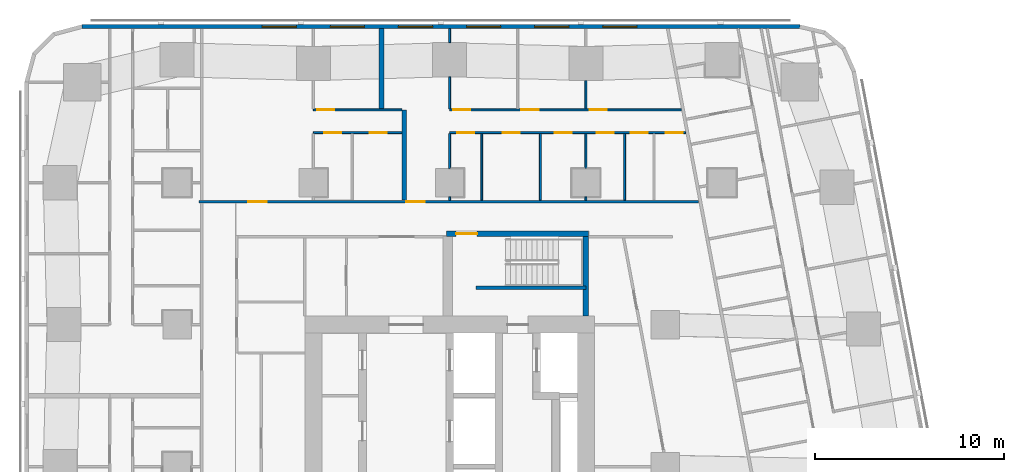
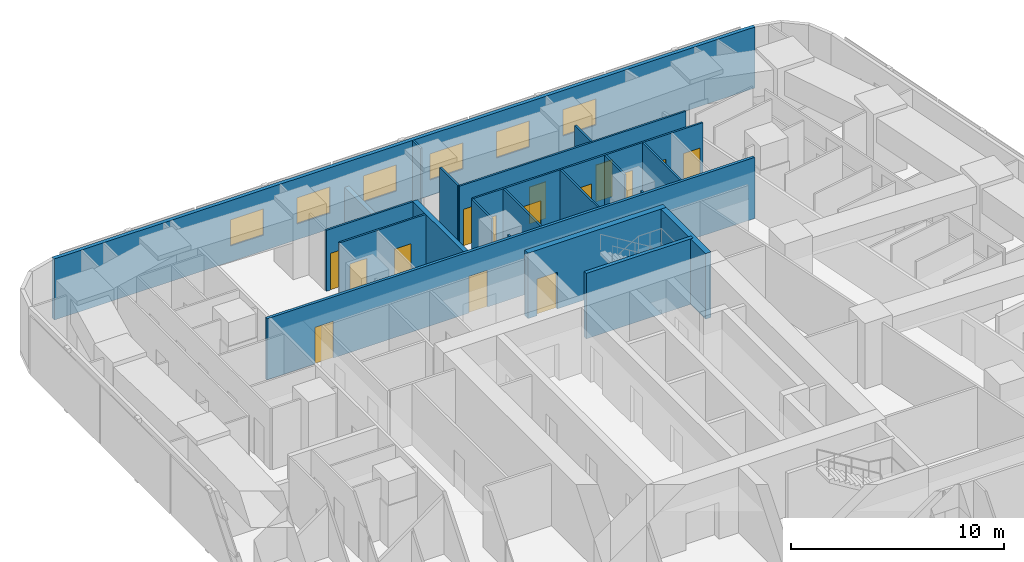
# One storey, part 10 of 15: 21 walls, 15 doors, 6 windows, 21 openings.
"""IFC4 building model written with IfcOpenShell, lengths in metres."""

from ifc_helpers import new_model, si_unit, direction, frame, frame_2d, origin, place, context, subcontext, project, spatial, rectangle, extrude, material, layer, layer_set, type_object, element, fill, save


model = new_model("IFC4")

# Units and contexts
model_context = context("Model", 3, precision=1e-05, world=origin(), true_north=direction((0.0, 1.0)))
body_context = subcontext(model_context, "Body", "Model", "MODEL_VIEW")
ifc_project = project(units=[si_unit("LENGTHUNIT", "METRE"), si_unit("AREAUNIT", "SQUARE_METRE"), si_unit("VOLUMEUNIT", "CUBIC_METRE"), si_unit("PLANEANGLEUNIT", "RADIAN"), si_unit("MASSUNIT", "GRAM", prefix="KILO")], contexts=[model_context])

# Site, building, storey
site_placement = place(None, origin())
site = spatial("IfcSite", under=ifc_project, at=site_placement, CompositionType="ELEMENT")
building_placement = place(site_placement, origin())
building = spatial("IfcBuilding", under=site, at=building_placement, Name="Sheger Commons Tower", CompositionType="ELEMENT")
storey_placement = place(building_placement, frame((0.0, 0.0, 165.800048828125)))
storey = spatial("IfcBuildingStorey", under=building, at=storey_placement, Name="L42", CompositionType="ELEMENT", Elevation=165.800048828125)

# Wall, openings, doors
ifc_material_1 = material(Name="Hollow concrete block masonry, skimmed both sides", Category="masonry")
ifc_layer_1 = layer(ifc_material_1, 0.14990234375)
ifc_layer_set_1 = layer_set([ifc_layer_1], Name="CORRIDOR WALL 150")
wall_type_1 = type_object("IfcWallType", Name="CORRIDOR WALL 150", PredefinedType="SOLIDWALL", material=ifc_layer_set_1)
wall_1_placement = place(storey_placement, frame((8.35009765625, 36.5, 0.0), z_axis=(0.0, 0.0, 1.0), x_axis=(1.0, 0.0, 0.0)))
wall_1 = element("IfcWall", 1, at=wall_1_placement, inside=storey, type_object=wall_type_1, Name="Corridor wall L42", PredefinedType="SOLIDWALL", context=body_context, shape_type="SweptSolid", body=[
    extrude(rectangle(XDim=26.414794921875, YDim=0.14990234375, at=frame_2d((13.20751953125, 0.0))), origin(), (0.0, 0.0, 1.0), 3.5),
])
opening_1_placement = place(wall_1_placement, frame((2.60009765625, 0.0, 0.0)))
opening_1 = element("IfcOpeningElement", 2, at=opening_1_placement, cuts=wall_1, Name="Opening D1", PredefinedType="OPENING", context=body_context, shape_type="SweptSolid", body=[
    extrude(rectangle(XDim=1.0, YDim=2.10009765625, at=frame_2d((0.5, 1.050048828125))), frame((0.0, 0.0849609375, 0.0), z_axis=(0.0, -1.0, 0.0), x_axis=(1.0, 0.0, 0.0)), (0.0, 0.0, 1.0), 0.169921875),
])
opening_2_placement = place(wall_1_placement, frame((10.948974609375, 0.0, 0.0)))
opening_2 = element("IfcOpeningElement", 3, at=opening_2_placement, cuts=wall_1, Name="Opening D1", PredefinedType="OPENING", context=body_context, shape_type="SweptSolid", body=[
    extrude(rectangle(XDim=1.0, YDim=2.10009765625, at=frame_2d((0.5, 1.050048828125))), frame((0.0, 0.0849609375, 0.0), z_axis=(0.0, -1.0, 0.0), x_axis=(1.0, 0.0, 0.0)), (0.0, 0.0, 1.0), 0.169921875),
])
ifc_material_2 = material(Name="Steel door set, fire rated", Category="steel")
door_type_1 = type_object("IfcDoorType", Name="FLAT ENTRANCE DOOR 1000x2100", OperationType="NOTDEFINED", PredefinedType="DOOR", material=ifc_material_2)
door_1_placement = place(opening_1_placement, origin())
door_1 = element("IfcDoor", 4, at=door_1_placement, inside=storey, type_object=door_type_1, Name="Flat entrance door", OperationType="SINGLE_SWING_LEFT", OverallHeight=2.10009765625, OverallWidth=1.0, PredefinedType="DOOR", context=body_context, shape_type="SweptSolid", body=[
    extrude(rectangle(XDim=1.0, YDim=2.10009765625, at=frame_2d((0.5, 1.050048828125))), frame((0.0, 0.02490234375, 0.0), z_axis=(0.0, -1.0, 0.0), x_axis=(1.0, 0.0, 0.0)), (0.0, 0.0, 1.0), 0.050048828125),
])
fill(opening_1, door_1)
door_2_placement = place(opening_2_placement, origin())
door_2 = element("IfcDoor", 5, at=door_2_placement, inside=storey, type_object=door_type_1, Name="Flat entrance door", OperationType="SINGLE_SWING_LEFT", OverallHeight=2.10009765625, OverallWidth=1.0, PredefinedType="DOOR", context=body_context, shape_type="SweptSolid", body=[
    extrude(rectangle(XDim=1.0, YDim=2.10009765625, at=frame_2d((0.5, 1.050048828125))), frame((0.0, 0.02490234375, 0.0), z_axis=(0.0, -1.0, 0.0), x_axis=(1.0, 0.0, 0.0)), (0.0, 0.0, 1.0), 0.050048828125),
])
fill(opening_2, door_2)

# Walls
ifc_material_3 = material(Name="Dense concrete block masonry, plastered both sides (separating wall between flats)", Category="masonry")
ifc_layer_2 = layer(ifc_material_3, 0.25)
ifc_layer_set_2 = layer_set([ifc_layer_2], Name="DEMISING WALL 250")
wall_type_2 = type_object("IfcWallType", Name="DEMISING WALL 250", PredefinedType="SOLIDWALL", material=ifc_layer_set_2)
wall_2_placement = place(storey_placement, frame((18.0, 41.39990234375, 0.0), z_axis=(0.0, 0.0, 1.0), x_axis=(0.0, 1.0, 0.0)))
element("IfcWall", 6, at=wall_2_placement, inside=storey, type_object=wall_type_2, Name="Demising wall L42", PredefinedType="SOLIDWALL", context=body_context, shape_type="SweptSolid", body=[
    extrude(rectangle(XDim=4.25, YDim=0.25, at=frame_2d((2.125, 0.0))), origin(), (0.0, 0.0, 1.0), 2.099853515625),
])
wall_3_placement = place(storey_placement, frame((19.198974609375, 36.574951171875, 0.0), z_axis=(0.0, 0.0, 1.0), x_axis=(0.0, 1.0, 0.0)))
element("IfcWall", 7, at=wall_3_placement, inside=storey, type_object=wall_type_2, Name="Demising wall L42", PredefinedType="SOLIDWALL", context=body_context, shape_type="SweptSolid", body=[
    extrude(rectangle(XDim=4.775146484375, YDim=0.25, at=frame_2d((2.3876953125, 0.0))), origin(), (0.0, 0.0, 1.0), 3.5),
])

# Wall, openings, windows
ifc_material_4 = material(Name="Rendered concrete block masonry, dark grey", Category="masonry")
ifc_layer_3 = layer(ifc_material_4, 0.199951171875)
ifc_layer_set_3 = layer_set([ifc_layer_3], Name="FACADE WALL 200")
wall_type_3 = type_object("IfcWallType", Name="FACADE WALL 200", PredefinedType="SOLIDWALL", material=ifc_layer_set_3)
wall_4_placement = place(storey_placement, frame((40.10595703125, 45.75, 0.0), z_axis=(0.0, 0.0, 1.0), x_axis=(-1.0, 0.0, 0.0)))
wall_4 = element("IfcWall", 8, at=wall_4_placement, inside=storey, type_object=wall_type_3, Name="Facade wall L42", PredefinedType="SOLIDWALL", context=body_context, shape_type="SweptSolid", body=[
    extrude(rectangle(XDim=37.94287109375, YDim=0.199951171875, at=frame_2d((18.971435546875, 0.0))), origin(), (0.0, 0.0, 1.0), 3.5),
])
opening_3_placement = place(wall_4_placement, frame((8.60595703125, 0.0, 0.89990234375)))
opening_3 = element("IfcOpeningElement", 9, at=opening_3_placement, cuts=wall_4, Name="Opening W2", PredefinedType="OPENING", context=body_context, shape_type="SweptSolid", body=[
    extrude(rectangle(XDim=1.800048828125, YDim=1.5, at=frame_2d((0.89990234375, 0.75))), frame((0.0, 0.10986328125, 0.0), z_axis=(0.0, -1.0, 0.0), x_axis=(1.0, 0.0, 0.0)), (0.0, 0.0, 1.0), 0.219970703125),
])
opening_4_placement = place(wall_4_placement, frame((12.2060546875, 0.0, 0.89990234375)))
opening_4 = element("IfcOpeningElement", 10, at=opening_4_placement, cuts=wall_4, Name="Opening W2", PredefinedType="OPENING", context=body_context, shape_type="SweptSolid", body=[
    extrude(rectangle(XDim=1.800048828125, YDim=1.5, at=frame_2d((0.89990234375, 0.75))), frame((0.0, 0.10986328125, 0.0), z_axis=(0.0, -1.0, 0.0), x_axis=(1.0, 0.0, 0.0)), (0.0, 0.0, 1.0), 0.219970703125),
])
opening_5_placement = place(wall_4_placement, frame((15.805908203125, 0.0, 0.89990234375)))
opening_5 = element("IfcOpeningElement", 11, at=opening_5_placement, cuts=wall_4, Name="Opening W2", PredefinedType="OPENING", context=body_context, shape_type="SweptSolid", body=[
    extrude(rectangle(XDim=1.800048828125, YDim=1.5, at=frame_2d((0.89990234375, 0.75))), frame((0.0, 0.10986328125, 0.0), z_axis=(0.0, -1.0, 0.0), x_axis=(1.0, 0.0, 0.0)), (0.0, 0.0, 1.0), 0.219970703125),
])
opening_6_placement = place(wall_4_placement, frame((19.406005859375, 0.0, 0.89990234375)))
opening_6 = element("IfcOpeningElement", 12, at=opening_6_placement, cuts=wall_4, Name="Opening W2", PredefinedType="OPENING", context=body_context, shape_type="SweptSolid", body=[
    extrude(rectangle(XDim=1.800048828125, YDim=1.5, at=frame_2d((0.89990234375, 0.75))), frame((0.0, 0.10986328125, 0.0), z_axis=(0.0, -1.0, 0.0), x_axis=(1.0, 0.0, 0.0)), (0.0, 0.0, 1.0), 0.219970703125),
])
opening_7_placement = place(wall_4_placement, frame((23.006103515625, 0.0, 0.89990234375)))
opening_7 = element("IfcOpeningElement", 13, at=opening_7_placement, cuts=wall_4, Name="Opening W2", PredefinedType="OPENING", context=body_context, shape_type="SweptSolid", body=[
    extrude(rectangle(XDim=1.800048828125, YDim=1.5, at=frame_2d((0.89990234375, 0.75))), frame((0.0, 0.10986328125, 0.0), z_axis=(0.0, -1.0, 0.0), x_axis=(1.0, 0.0, 0.0)), (0.0, 0.0, 1.0), 0.219970703125),
])
opening_8_placement = place(wall_4_placement, frame((26.60595703125, 0.0, 0.89990234375)))
opening_8 = element("IfcOpeningElement", 14, at=opening_8_placement, cuts=wall_4, Name="Opening W2", PredefinedType="OPENING", context=body_context, shape_type="SweptSolid", body=[
    extrude(rectangle(XDim=1.800048828125, YDim=1.5, at=frame_2d((0.89990234375, 0.75))), frame((0.0, 0.10986328125, 0.0), z_axis=(0.0, -1.0, 0.0), x_axis=(1.0, 0.0, 0.0)), (0.0, 0.0, 1.0), 0.219970703125),
])
ifc_material_5 = material(Name="Black aluminium frame, dark tinted double glazing", Category="aluminium")
window_type = type_object("IfcWindowType", Name="WINDOW W2 1800x1500", PartitioningType="SINGLE_PANEL", PredefinedType="WINDOW", material=ifc_material_5)
window_1_placement = place(opening_3_placement, origin())
window_1 = element("IfcWindow", 15, at=window_1_placement, inside=storey, type_object=window_type, Name="Window W2 1800X1500", OverallHeight=1.5, OverallWidth=1.800048828125, PartitioningType="SINGLE_PANEL", PredefinedType="WINDOW", context=body_context, shape_type="SweptSolid", body=[
    extrude(rectangle(XDim=1.800048828125, YDim=1.5, at=frame_2d((0.89990234375, 0.75))), frame((0.0, 0.030029296875, 0.0), z_axis=(0.0, -1.0, 0.0), x_axis=(1.0, 0.0, 0.0)), (0.0, 0.0, 1.0), 0.06005859375),
])
fill(opening_3, window_1)
window_2_placement = place(opening_4_placement, origin())
window_2 = element("IfcWindow", 16, at=window_2_placement, inside=storey, type_object=window_type, Name="Window W2 1800X1500", OverallHeight=1.5, OverallWidth=1.800048828125, PartitioningType="SINGLE_PANEL", PredefinedType="WINDOW", context=body_context, shape_type="SweptSolid", body=[
    extrude(rectangle(XDim=1.800048828125, YDim=1.5, at=frame_2d((0.89990234375, 0.75))), frame((0.0, 0.030029296875, 0.0), z_axis=(0.0, -1.0, 0.0), x_axis=(1.0, 0.0, 0.0)), (0.0, 0.0, 1.0), 0.06005859375),
])
fill(opening_4, window_2)
window_3_placement = place(opening_5_placement, origin())
window_3 = element("IfcWindow", 17, at=window_3_placement, inside=storey, type_object=window_type, Name="Window W2 1800X1500", OverallHeight=1.5, OverallWidth=1.800048828125, PartitioningType="SINGLE_PANEL", PredefinedType="WINDOW", context=body_context, shape_type="SweptSolid", body=[
    extrude(rectangle(XDim=1.800048828125, YDim=1.5, at=frame_2d((0.89990234375, 0.75))), frame((0.0, 0.030029296875, 0.0), z_axis=(0.0, -1.0, 0.0), x_axis=(1.0, 0.0, 0.0)), (0.0, 0.0, 1.0), 0.06005859375),
])
fill(opening_5, window_3)
window_4_placement = place(opening_6_placement, origin())
window_4 = element("IfcWindow", 18, at=window_4_placement, inside=storey, type_object=window_type, Name="Window W2 1800X1500", OverallHeight=1.5, OverallWidth=1.800048828125, PartitioningType="SINGLE_PANEL", PredefinedType="WINDOW", context=body_context, shape_type="SweptSolid", body=[
    extrude(rectangle(XDim=1.800048828125, YDim=1.5, at=frame_2d((0.89990234375, 0.75))), frame((0.0, 0.030029296875, 0.0), z_axis=(0.0, -1.0, 0.0), x_axis=(1.0, 0.0, 0.0)), (0.0, 0.0, 1.0), 0.06005859375),
])
fill(opening_6, window_4)
window_5_placement = place(opening_7_placement, origin())
window_5 = element("IfcWindow", 19, at=window_5_placement, inside=storey, type_object=window_type, Name="Window W2 1800X1500", OverallHeight=1.5, OverallWidth=1.800048828125, PartitioningType="SINGLE_PANEL", PredefinedType="WINDOW", context=body_context, shape_type="SweptSolid", body=[
    extrude(rectangle(XDim=1.800048828125, YDim=1.5, at=frame_2d((0.89990234375, 0.75))), frame((0.0, 0.030029296875, 0.0), z_axis=(0.0, -1.0, 0.0), x_axis=(1.0, 0.0, 0.0)), (0.0, 0.0, 1.0), 0.06005859375),
])
fill(opening_7, window_5)
window_6_placement = place(opening_8_placement, origin())
window_6 = element("IfcWindow", 20, at=window_6_placement, inside=storey, type_object=window_type, Name="Window W2 1800X1500", OverallHeight=1.5, OverallWidth=1.800048828125, PartitioningType="SINGLE_PANEL", PredefinedType="WINDOW", context=body_context, shape_type="SweptSolid", body=[
    extrude(rectangle(XDim=1.800048828125, YDim=1.5, at=frame_2d((0.89990234375, 0.75))), frame((0.0, 0.030029296875, 0.0), z_axis=(0.0, -1.0, 0.0), x_axis=(1.0, 0.0, 0.0)), (0.0, 0.0, 1.0), 0.06005859375),
])
fill(opening_8, window_6)

# Wall, opening, door
ifc_material_6 = material(Name="Gypsum board on steel studs", Category="steel")
ifc_layer_4 = layer(ifc_material_6, 0.10009765625)
ifc_layer_set_4 = layer_set([ifc_layer_4], Name="PARTITION 100")
wall_type_4 = type_object("IfcWallType", Name="PARTITION 100", PredefinedType="PARTITIONING", material=ifc_layer_set_4)
wall_5_placement = place(storey_placement, frame((14.39990234375, 41.35009765625, 0.0), z_axis=(0.0, 0.0, 1.0), x_axis=(1.0, 0.0, 0.0)))
wall_5 = element("IfcWall", 21, at=wall_5_placement, inside=storey, type_object=wall_type_4, Name="Partition L42", PredefinedType="PARTITIONING", context=body_context, shape_type="SweptSolid", body=[
    extrude(rectangle(XDim=4.674072265625, YDim=0.10009765625, at=frame_2d((2.3369140625, 0.0))), origin(), (0.0, 0.0, 1.0), 3.5),
])
opening_9_placement = place(wall_5_placement, frame((0.199951171875, 0.0, 0.0)))
opening_9 = element("IfcOpeningElement", 22, at=opening_9_placement, cuts=wall_5, Name="Opening D2", PredefinedType="OPENING", context=body_context, shape_type="SweptSolid", body=[
    extrude(rectangle(XDim=0.89990234375, YDim=2.10009765625, at=frame_2d((0.449951171875, 1.050048828125))), frame((0.0, 0.06005859375, 0.0), z_axis=(0.0, -1.0, 0.0), x_axis=(1.0, 0.0, 0.0)), (0.0, 0.0, 1.0), 0.1201171875),
])
ifc_material_7 = material(Name="Timber door set", Category="wood")
door_type_2 = type_object("IfcDoorType", Name="INTERNAL DOOR 900x2100", OperationType="NOTDEFINED", PredefinedType="DOOR", material=ifc_material_7)
door_3_placement = place(opening_9_placement, origin())
door_3 = element("IfcDoor", 23, at=door_3_placement, inside=storey, type_object=door_type_2, Name="Main bedroom door", OperationType="SINGLE_SWING_LEFT", OverallHeight=2.10009765625, OverallWidth=0.89990234375, PredefinedType="DOOR", context=body_context, shape_type="SweptSolid", body=[
    extrude(rectangle(XDim=0.89990234375, YDim=2.10009765625, at=frame_2d((0.449951171875, 1.050048828125))), frame((0.0, 0.02490234375, 0.0), z_axis=(0.0, -1.0, 0.0), x_axis=(1.0, 0.0, 0.0)), (0.0, 0.0, 1.0), 0.050048828125),
])
fill(opening_9, door_3)

# Wall, openings, doors
wall_6_placement = place(storey_placement, frame((14.39990234375, 40.14990234375, 0.0), z_axis=(0.0, 0.0, 1.0), x_axis=(1.0, 0.0, 0.0)))
wall_6 = element("IfcWall", 24, at=wall_6_placement, inside=storey, type_object=wall_type_4, Name="Partition L42", PredefinedType="PARTITIONING", context=body_context, shape_type="SweptSolid", body=[
    extrude(rectangle(XDim=4.674072265625, YDim=0.10009765625, at=frame_2d((2.3369140625, 0.0))), origin(), (0.0, 0.0, 1.0), 3.5),
])
opening_10_placement = place(wall_6_placement, frame((0.574951171875, 0.0, 0.0)))
opening_10 = element("IfcOpeningElement", 25, at=opening_10_placement, cuts=wall_6, Name="Opening D2", PredefinedType="OPENING", context=body_context, shape_type="SweptSolid", body=[
    extrude(rectangle(XDim=0.89990234375, YDim=2.10009765625, at=frame_2d((0.449951171875, 1.050048828125))), frame((0.0, 0.06005859375, 0.0), z_axis=(0.0, -1.0, 0.0), x_axis=(1.0, 0.0, 0.0)), (0.0, 0.0, 1.0), 0.1201171875),
])
opening_11_placement = place(wall_6_placement, frame((2.97509765625, 0.0, 0.0)))
opening_11 = element("IfcOpeningElement", 26, at=opening_11_placement, cuts=wall_6, Name="Opening D2", PredefinedType="OPENING", context=body_context, shape_type="SweptSolid", body=[
    extrude(rectangle(XDim=0.89990234375, YDim=2.10009765625, at=frame_2d((0.449951171875, 1.050048828125))), frame((0.0, 0.06005859375, 0.0), z_axis=(0.0, -1.0, 0.0), x_axis=(1.0, 0.0, 0.0)), (0.0, 0.0, 1.0), 0.1201171875),
])
door_4_placement = place(opening_10_placement, origin())
door_4 = element("IfcDoor", 27, at=door_4_placement, inside=storey, type_object=door_type_2, Name="Bathroom door", OperationType="SINGLE_SWING_RIGHT", OverallHeight=2.10009765625, OverallWidth=0.89990234375, PredefinedType="DOOR", context=body_context, shape_type="SweptSolid", body=[
    extrude(rectangle(XDim=0.89990234375, YDim=2.10009765625, at=frame_2d((0.449951171875, 1.050048828125))), frame((0.0, 0.02490234375, 0.0), z_axis=(0.0, -1.0, 0.0), x_axis=(1.0, 0.0, 0.0)), (0.0, 0.0, 1.0), 0.050048828125),
])
fill(opening_10, door_4)
door_5_placement = place(opening_11_placement, origin())
door_5 = element("IfcDoor", 28, at=door_5_placement, inside=storey, type_object=door_type_2, Name="Store door", OperationType="SINGLE_SWING_LEFT", OverallHeight=2.10009765625, OverallWidth=0.89990234375, PredefinedType="DOOR", context=body_context, shape_type="SweptSolid", body=[
    extrude(rectangle(XDim=0.89990234375, YDim=2.10009765625, at=frame_2d((0.449951171875, 1.050048828125))), frame((0.0, 0.02490234375, 0.0), z_axis=(0.0, -1.0, 0.0), x_axis=(1.0, 0.0, 0.0)), (0.0, 0.0, 1.0), 0.050048828125),
])
fill(opening_11, door_5)

wall_7_placement = place(storey_placement, frame((21.60009765625, 41.35009765625, 0.0), z_axis=(0.0, 0.0, 1.0), x_axis=(1.0, 0.0, 0.0)))
wall_7 = element("IfcWall", 29, at=wall_7_placement, inside=storey, type_object=wall_type_4, Name="Partition L42", PredefinedType="PARTITIONING", context=body_context, shape_type="SweptSolid", body=[
    extrude(rectangle(XDim=12.2529296875, YDim=0.10009765625, at=frame_2d((6.12646484375, 0.0))), origin(), (0.0, 0.0, 1.0), 3.5),
])
opening_12_placement = place(wall_7_placement, frame((0.199951171875, 0.0, 0.0)))
opening_12 = element("IfcOpeningElement", 30, at=opening_12_placement, cuts=wall_7, Name="Opening D2", PredefinedType="OPENING", context=body_context, shape_type="SweptSolid", body=[
    extrude(rectangle(XDim=0.89990234375, YDim=2.10009765625, at=frame_2d((0.449951171875, 1.050048828125))), frame((0.0, 0.06005859375, 0.0), z_axis=(0.0, -1.0, 0.0), x_axis=(1.0, 0.0, 0.0)), (0.0, 0.0, 1.0), 0.1201171875),
])
opening_13_placement = place(wall_7_placement, frame((3.800048828125, 0.0, 0.0)))
opening_13 = element("IfcOpeningElement", 31, at=opening_13_placement, cuts=wall_7, Name="Opening D2", PredefinedType="OPENING", context=body_context, shape_type="SweptSolid", body=[
    extrude(rectangle(XDim=0.89990234375, YDim=2.10009765625, at=frame_2d((0.449951171875, 1.050048828125))), frame((0.0, 0.06005859375, 0.0), z_axis=(0.0, -1.0, 0.0), x_axis=(1.0, 0.0, 0.0)), (0.0, 0.0, 1.0), 0.1201171875),
])
opening_14_placement = place(wall_7_placement, frame((7.39990234375, 0.0, 0.0)))
opening_14 = element("IfcOpeningElement", 32, at=opening_14_placement, cuts=wall_7, Name="Opening D2", PredefinedType="OPENING", context=body_context, shape_type="SweptSolid", body=[
    extrude(rectangle(XDim=0.89990234375, YDim=2.10009765625, at=frame_2d((0.449951171875, 1.050048828125))), frame((0.0, 0.06005859375, 0.0), z_axis=(0.0, -1.0, 0.0), x_axis=(1.0, 0.0, 0.0)), (0.0, 0.0, 1.0), 0.1201171875),
])
door_6_placement = place(opening_12_placement, origin())
door_6 = element("IfcDoor", 33, at=door_6_placement, inside=storey, type_object=door_type_2, Name="Main bedroom door", OperationType="SINGLE_SWING_LEFT", OverallHeight=2.10009765625, OverallWidth=0.89990234375, PredefinedType="DOOR", context=body_context, shape_type="SweptSolid", body=[
    extrude(rectangle(XDim=0.89990234375, YDim=2.10009765625, at=frame_2d((0.449951171875, 1.050048828125))), frame((0.0, 0.02490234375, 0.0), z_axis=(0.0, -1.0, 0.0), x_axis=(1.0, 0.0, 0.0)), (0.0, 0.0, 1.0), 0.050048828125),
])
fill(opening_12, door_6)
door_7_placement = place(opening_13_placement, origin())
door_7 = element("IfcDoor", 34, at=door_7_placement, inside=storey, type_object=door_type_2, Name="Bedroom 2 door", OperationType="SINGLE_SWING_LEFT", OverallHeight=2.10009765625, OverallWidth=0.89990234375, PredefinedType="DOOR", context=body_context, shape_type="SweptSolid", body=[
    extrude(rectangle(XDim=0.89990234375, YDim=2.10009765625, at=frame_2d((0.449951171875, 1.050048828125))), frame((0.0, 0.02490234375, 0.0), z_axis=(0.0, -1.0, 0.0), x_axis=(1.0, 0.0, 0.0)), (0.0, 0.0, 1.0), 0.050048828125),
])
fill(opening_13, door_7)
door_8_placement = place(opening_14_placement, origin())
door_8 = element("IfcDoor", 35, at=door_8_placement, inside=storey, type_object=door_type_2, Name="Bedroom 3 door", OperationType="SINGLE_SWING_LEFT", OverallHeight=2.10009765625, OverallWidth=0.89990234375, PredefinedType="DOOR", context=body_context, shape_type="SweptSolid", body=[
    extrude(rectangle(XDim=0.89990234375, YDim=2.10009765625, at=frame_2d((0.449951171875, 1.050048828125))), frame((0.0, 0.02490234375, 0.0), z_axis=(0.0, -1.0, 0.0), x_axis=(1.0, 0.0, 0.0)), (0.0, 0.0, 1.0), 0.050048828125),
])
fill(opening_14, door_8)

wall_8_placement = place(storey_placement, frame((21.60009765625, 40.14990234375, 0.0), z_axis=(0.0, 0.0, 1.0), x_axis=(1.0, 0.0, 0.0)))
wall_8 = element("IfcWall", 36, at=wall_8_placement, inside=storey, type_object=wall_type_4, Name="Partition L42", PredefinedType="PARTITIONING", context=body_context, shape_type="SweptSolid", body=[
    extrude(rectangle(XDim=12.47998046875, YDim=0.10009765625, at=frame_2d((6.239990234375, 0.0))), origin(), (0.0, 0.0, 1.0), 3.5),
])
opening_15_placement = place(wall_8_placement, frame((0.39990234375, 0.0, 0.0)))
opening_15 = element("IfcOpeningElement", 37, at=opening_15_placement, cuts=wall_8, Name="Opening D2", PredefinedType="OPENING", context=body_context, shape_type="SweptSolid", body=[
    extrude(rectangle(XDim=0.89990234375, YDim=2.10009765625, at=frame_2d((0.449951171875, 1.050048828125))), frame((0.0, 0.06005859375, 0.0), z_axis=(0.0, -1.0, 0.0), x_axis=(1.0, 0.0, 0.0)), (0.0, 0.0, 1.0), 0.1201171875),
])
opening_16_placement = place(wall_8_placement, frame((5.549072265625, 0.0, 0.0)))
opening_16 = element("IfcOpeningElement", 38, at=opening_16_placement, cuts=wall_8, Name="Opening D2", PredefinedType="OPENING", context=body_context, shape_type="SweptSolid", body=[
    extrude(rectangle(XDim=0.89990234375, YDim=2.10009765625, at=frame_2d((0.449951171875, 1.050048828125))), frame((0.0, 0.06005859375, 0.0), z_axis=(0.0, -1.0, 0.0), x_axis=(1.0, 0.0, 0.0)), (0.0, 0.0, 1.0), 0.1201171875),
])
opening_17_placement = place(wall_8_placement, frame((7.77490234375, 0.0, 0.0)))
opening_17 = element("IfcOpeningElement", 39, at=opening_17_placement, cuts=wall_8, Name="Opening D2", PredefinedType="OPENING", context=body_context, shape_type="SweptSolid", body=[
    extrude(rectangle(XDim=0.89990234375, YDim=2.10009765625, at=frame_2d((0.449951171875, 1.050048828125))), frame((0.0, 0.06005859375, 0.0), z_axis=(0.0, -1.0, 0.0), x_axis=(1.0, 0.0, 0.0)), (0.0, 0.0, 1.0), 0.1201171875),
])
opening_18_placement = place(wall_8_placement, frame((11.429931640625, 0.0, 0.0)))
opening_18 = element("IfcOpeningElement", 40, at=opening_18_placement, cuts=wall_8, Name="Opening D2", PredefinedType="OPENING", context=body_context, shape_type="SweptSolid", body=[
    extrude(rectangle(XDim=0.89990234375, YDim=2.10009765625, at=frame_2d((0.449951171875, 1.050048828125))), frame((0.0, 0.06005859375, 0.0), z_axis=(0.0, -1.0, 0.0), x_axis=(1.0, 0.0, 0.0)), (0.0, 0.0, 1.0), 0.1201171875),
])
opening_19_placement = place(wall_8_placement, frame((2.799072265625, 0.0, 0.0)))
opening_19 = element("IfcOpeningElement", 41, at=opening_19_placement, cuts=wall_8, Name="Opening D2", PredefinedType="OPENING", context=body_context, shape_type="SweptSolid", body=[
    extrude(rectangle(XDim=0.89990234375, YDim=2.10009765625, at=frame_2d((0.449951171875, 1.050048828125))), frame((0.0, 0.06005859375, 0.0), z_axis=(0.0, -1.0, 0.0), x_axis=(1.0, 0.0, 0.0)), (0.0, 0.0, 1.0), 0.1201171875),
])
opening_20_placement = place(wall_8_placement, frame((9.574951171875, 0.0, 0.0)))
opening_20 = element("IfcOpeningElement", 42, at=opening_20_placement, cuts=wall_8, Name="Opening D2", PredefinedType="OPENING", context=body_context, shape_type="SweptSolid", body=[
    extrude(rectangle(XDim=0.89990234375, YDim=2.10009765625, at=frame_2d((0.449951171875, 1.050048828125))), frame((0.0, 0.06005859375, 0.0), z_axis=(0.0, -1.0, 0.0), x_axis=(1.0, 0.0, 0.0)), (0.0, 0.0, 1.0), 0.1201171875),
])
door_9_placement = place(opening_15_placement, origin())
door_9 = element("IfcDoor", 43, at=door_9_placement, inside=storey, type_object=door_type_2, Name="Laundry room door", OperationType="SINGLE_SWING_RIGHT", OverallHeight=2.10009765625, OverallWidth=0.89990234375, PredefinedType="DOOR", context=body_context, shape_type="SweptSolid", body=[
    extrude(rectangle(XDim=0.89990234375, YDim=2.10009765625, at=frame_2d((0.449951171875, 1.050048828125))), frame((0.0, 0.02490234375, 0.0), z_axis=(0.0, -1.0, 0.0), x_axis=(1.0, 0.0, 0.0)), (0.0, 0.0, 1.0), 0.050048828125),
])
fill(opening_15, door_9)
door_10_placement = place(opening_16_placement, origin())
door_10 = element("IfcDoor", 44, at=door_10_placement, inside=storey, type_object=door_type_2, Name="Laundry room door", OperationType="SINGLE_SWING_RIGHT", OverallHeight=2.10009765625, OverallWidth=0.89990234375, PredefinedType="DOOR", context=body_context, shape_type="SweptSolid", body=[
    extrude(rectangle(XDim=0.89990234375, YDim=2.10009765625, at=frame_2d((0.449951171875, 1.050048828125))), frame((0.0, 0.02490234375, 0.0), z_axis=(0.0, -1.0, 0.0), x_axis=(1.0, 0.0, 0.0)), (0.0, 0.0, 1.0), 0.050048828125),
])
fill(opening_16, door_10)
door_11_placement = place(opening_17_placement, origin())
door_11 = element("IfcDoor", 45, at=door_11_placement, inside=storey, type_object=door_type_2, Name="Bathroom door", OperationType="SINGLE_SWING_RIGHT", OverallHeight=2.10009765625, OverallWidth=0.89990234375, PredefinedType="DOOR", context=body_context, shape_type="SweptSolid", body=[
    extrude(rectangle(XDim=0.89990234375, YDim=2.10009765625, at=frame_2d((0.449951171875, 1.050048828125))), frame((0.0, 0.02490234375, 0.0), z_axis=(0.0, -1.0, 0.0), x_axis=(1.0, 0.0, 0.0)), (0.0, 0.0, 1.0), 0.050048828125),
])
fill(opening_17, door_11)
door_12_placement = place(opening_18_placement, origin())
door_12 = element("IfcDoor", 46, at=door_12_placement, inside=storey, type_object=door_type_2, Name="Store and laundry door", OperationType="SINGLE_SWING_LEFT", OverallHeight=2.10009765625, OverallWidth=0.89990234375, PredefinedType="DOOR", context=body_context, shape_type="SweptSolid", body=[
    extrude(rectangle(XDim=0.89990234375, YDim=2.10009765625, at=frame_2d((0.449951171875, 1.050048828125))), frame((0.0, 0.02490234375, 0.0), z_axis=(0.0, -1.0, 0.0), x_axis=(1.0, 0.0, 0.0)), (0.0, 0.0, 1.0), 0.050048828125),
])
fill(opening_18, door_12)
door_13_placement = place(opening_19_placement, origin())
door_13 = element("IfcDoor", 47, at=door_13_placement, inside=storey, type_object=door_type_2, Name="Store door", OperationType="SINGLE_SWING_LEFT", OverallHeight=2.10009765625, OverallWidth=0.89990234375, PredefinedType="DOOR", context=body_context, shape_type="SweptSolid", body=[
    extrude(rectangle(XDim=0.89990234375, YDim=2.10009765625, at=frame_2d((0.449951171875, 1.050048828125))), frame((0.0, 0.02490234375, 0.0), z_axis=(0.0, -1.0, 0.0), x_axis=(1.0, 0.0, 0.0)), (0.0, 0.0, 1.0), 0.050048828125),
])
fill(opening_19, door_13)
door_14_placement = place(opening_20_placement, origin())
door_14 = element("IfcDoor", 48, at=door_14_placement, inside=storey, type_object=door_type_2, Name="Store door", OperationType="SINGLE_SWING_LEFT", OverallHeight=2.10009765625, OverallWidth=0.89990234375, PredefinedType="DOOR", context=body_context, shape_type="SweptSolid", body=[
    extrude(rectangle(XDim=0.89990234375, YDim=2.10009765625, at=frame_2d((0.449951171875, 1.050048828125))), frame((0.0, 0.02490234375, 0.0), z_axis=(0.0, -1.0, 0.0), x_axis=(1.0, 0.0, 0.0)), (0.0, 0.0, 1.0), 0.050048828125),
])
fill(opening_20, door_14)

# Walls
wall_9_placement = place(storey_placement, frame((21.60009765625, 41.39990234375, 0.0), z_axis=(0.0, 0.0, 1.0), x_axis=(0.0, 1.0, 0.0)))
element("IfcWall", 49, at=wall_9_placement, inside=storey, type_object=wall_type_4, Name="Partition L42", PredefinedType="PARTITIONING", context=body_context, shape_type="SweptSolid", body=[
    extrude(rectangle(XDim=1.69921875, YDim=0.10009765625, at=frame_2d((0.849609375, 0.0))), origin(), (0.0, 0.0, 1.0), 3.5),
])
wall_10_placement = place(storey_placement, frame((21.60009765625, 44.90087890625, 0.0), z_axis=(0.0, 0.0, 1.0), x_axis=(0.0, 1.0, 0.0)))
element("IfcWall", 50, at=wall_10_placement, inside=storey, type_object=wall_type_4, Name="Partition L42", PredefinedType="PARTITIONING", context=body_context, shape_type="SweptSolid", body=[
    extrude(rectangle(XDim=0.7490234375, YDim=0.10009765625, at=frame_2d((0.37451171875, 0.0))), origin(), (0.0, 0.0, 1.0), 3.5),
])
wall_11_placement = place(storey_placement, frame((28.800048828125, 41.39990234375, 0.0), z_axis=(0.0, 0.0, 1.0), x_axis=(0.0, 1.0, 0.0)))
element("IfcWall", 51, at=wall_11_placement, inside=storey, type_object=wall_type_4, Name="Partition L42", PredefinedType="PARTITIONING", context=body_context, shape_type="SweptSolid", body=[
    extrude(rectangle(XDim=1.4990234375, YDim=0.10009765625, at=frame_2d((0.74951171875, 0.0))), origin(), (0.0, 0.0, 1.0), 3.5),
])
wall_12_placement = place(storey_placement, frame((21.60009765625, 36.574951171875, 0.0), z_axis=(0.0, 0.0, 1.0), x_axis=(0.0, 1.0, 0.0)))
element("IfcWall", 52, at=wall_12_placement, inside=storey, type_object=wall_type_4, Name="Partition L42", PredefinedType="PARTITIONING", context=body_context, shape_type="SweptSolid", body=[
    extrude(rectangle(XDim=0.174072265625, YDim=0.10009765625, at=frame_2d((0.0869140625, 0.0))), origin(), (0.0, 0.0, 1.0), 3.5),
])
wall_13_placement = place(storey_placement, frame((21.60009765625, 38.2509765625, 0.0), z_axis=(0.0, 0.0, 1.0), x_axis=(0.0, 1.0, 0.0)))
element("IfcWall", 53, at=wall_13_placement, inside=storey, type_object=wall_type_4, Name="Partition L42", PredefinedType="PARTITIONING", context=body_context, shape_type="SweptSolid", body=[
    extrude(rectangle(XDim=1.84912109375, YDim=0.10009765625, at=frame_2d((0.924560546875, 0.0))), origin(), (0.0, 0.0, 1.0), 3.5),
])
wall_14_placement = place(storey_placement, frame((26.39892578125, 36.574951171875, 0.0), z_axis=(0.0, 0.0, 1.0), x_axis=(0.0, 1.0, 0.0)))
element("IfcWall", 54, at=wall_14_placement, inside=storey, type_object=wall_type_4, Name="Partition L42", PredefinedType="PARTITIONING", context=body_context, shape_type="SweptSolid", body=[
    extrude(rectangle(XDim=3.525146484375, YDim=0.10009765625, at=frame_2d((1.7626953125, 0.0))), origin(), (0.0, 0.0, 1.0), 3.5),
])
wall_15_placement = place(storey_placement, frame((28.800048828125, 36.574951171875, 0.0), z_axis=(0.0, 0.0, 1.0), x_axis=(0.0, 1.0, 0.0)))
element("IfcWall", 55, at=wall_15_placement, inside=storey, type_object=wall_type_4, Name="Partition L42", PredefinedType="PARTITIONING", context=body_context, shape_type="SweptSolid", body=[
    extrude(rectangle(XDim=0.174072265625, YDim=0.10009765625, at=frame_2d((0.0869140625, 0.0))), origin(), (0.0, 0.0, 1.0), 3.5),
])
wall_16_placement = place(storey_placement, frame((28.800048828125, 38.2509765625, 0.0), z_axis=(0.0, 0.0, 1.0), x_axis=(0.0, 1.0, 0.0)))
element("IfcWall", 56, at=wall_16_placement, inside=storey, type_object=wall_type_4, Name="Partition L42", PredefinedType="PARTITIONING", context=body_context, shape_type="SweptSolid", body=[
    extrude(rectangle(XDim=1.84912109375, YDim=0.10009765625, at=frame_2d((0.924560546875, 0.0))), origin(), (0.0, 0.0, 1.0), 3.5),
])
for number, where, z_axis, x_axis, name in (
    (57, (23.300048828125, 36.574951171875, 0.0), (0.0, 0.0, 1.0), (0.0, 1.0, 0.0), "Partition L42"),
    (58, (30.85009765625, 36.574951171875, 0.0), (0.0, 0.0, 1.0), (0.0, 1.0, 0.0), "Partition L42"),
):
    element("IfcWall", number, at=place(storey_placement, frame(where, z_axis=z_axis, x_axis=x_axis)), inside=storey, type_object=wall_type_4, Name=name, PredefinedType="PARTITIONING", context=body_context, shape_type="SweptSolid", body=[
        extrude(rectangle(XDim=3.525146484375, YDim=0.10009765625, at=frame_2d((1.7626953125, 0.0))), origin(), (0.0, 0.0, 1.0), 3.5),
    ])

# Wall, opening, door
ifc_material_8 = material(Name="Concrete C50/60", Category="concrete")
ifc_layer_5 = layer(ifc_material_8, 0.300048828125)
ifc_layer_set_5 = layer_set([ifc_layer_5], Name="STAIR CORE WALL 300")
wall_type_5 = type_object("IfcWallType", Name="STAIR CORE WALL 300", PredefinedType="SHEAR", material=ifc_layer_set_5)
wall_17_placement = place(storey_placement, frame((21.449951171875, 34.800048828125, 0.0), z_axis=(0.0, 0.0, 1.0), x_axis=(1.0, 0.0, 0.0)))
wall_17 = element("IfcWall", 59, at=wall_17_placement, inside=storey, type_object=wall_type_5, Name="STW-L42-S2N", PredefinedType="SHEAR", context=body_context, shape_type="SweptSolid", body=[
    extrude(rectangle(XDim=7.5, YDim=0.300048828125, at=frame_2d((3.75, 0.0))), origin(), (0.0, 0.0, 1.0), 3.75),
])
opening_21_placement = place(wall_17_placement, frame((0.5, 0.0, 0.0)))
opening_21 = element("IfcOpeningElement", 60, at=opening_21_placement, cuts=wall_17, Name="Opening D5", PredefinedType="OPENING", context=body_context, shape_type="SweptSolid", body=[
    extrude(rectangle(XDim=1.10009765625, YDim=2.10009765625, at=frame_2d((0.550048828125, 1.050048828125))), frame((0.0, 0.159912109375, 0.0), z_axis=(0.0, -1.0, 0.0), x_axis=(1.0, 0.0, 0.0)), (0.0, 0.0, 1.0), 0.320068359375),
])
ifc_material_9 = material(Name="Steel door set, fire rated", Category="steel")
door_type_3 = type_object("IfcDoorType", Name="STAIR DOOR 1100x2100", OperationType="NOTDEFINED", PredefinedType="DOOR", material=ifc_material_9)
door_15_placement = place(opening_21_placement, origin())
door_15 = element("IfcDoor", 61, at=door_15_placement, inside=storey, type_object=door_type_3, Name="Stair S2 door", OperationType="SINGLE_SWING_RIGHT", OverallHeight=2.10009765625, OverallWidth=1.10009765625, PredefinedType="DOOR", context=body_context, shape_type="SweptSolid", body=[
    extrude(rectangle(XDim=1.10009765625, YDim=2.10009765625, at=frame_2d((0.550048828125, 1.050048828125))), frame((0.0, 0.02490234375, 0.0), z_axis=(0.0, -1.0, 0.0), x_axis=(1.0, 0.0, 0.0)), (0.0, 0.0, 1.0), 0.050048828125),
])
fill(opening_21, door_15)

# Walls
wall_18_placement = place(storey_placement, frame((28.800048828125, 30.449951171875, 0.0), z_axis=(0.0, 0.0, 1.0), x_axis=(0.0, 1.0, 0.0)))
element("IfcWall", 62, at=wall_18_placement, inside=storey, type_object=wall_type_5, Name="STW-L42-S2E", PredefinedType="SHEAR", context=body_context, shape_type="SweptSolid", body=[
    extrude(rectangle(XDim=4.199951171875, YDim=0.300048828125, at=frame_2d((2.10009765625, 0.0))), origin(), (0.0, 0.0, 1.0), 3.75),
])
ifc_material_10 = material(Name="Concrete C50/60", Category="concrete")
ifc_layer_6 = layer(ifc_material_10, 0.199951171875)
ifc_layer_set_6 = layer_set([ifc_layer_6], Name="STAIR SPINE WALL 200")
wall_type_6 = type_object("IfcWallType", Name="STAIR SPINE WALL 200", PredefinedType="SHEAR", material=ifc_layer_set_6)
wall_19_placement = place(storey_placement, frame((23.0, 31.949951171875, 0.0), z_axis=(0.0, 0.0, 1.0), x_axis=(1.0, 0.0, 0.0)))
element("IfcWall", 63, at=wall_19_placement, inside=storey, type_object=wall_type_6, Name="Stair spine wall L42", PredefinedType="SHEAR", context=body_context, shape_type="SweptSolid", body=[
    extrude(rectangle(XDim=5.800048828125, YDim=0.199951171875, at=frame_2d((2.89990234375, 0.0))), origin(), (0.0, 0.0, 1.0), 3.75),
])

save(model, "model.ifc")
